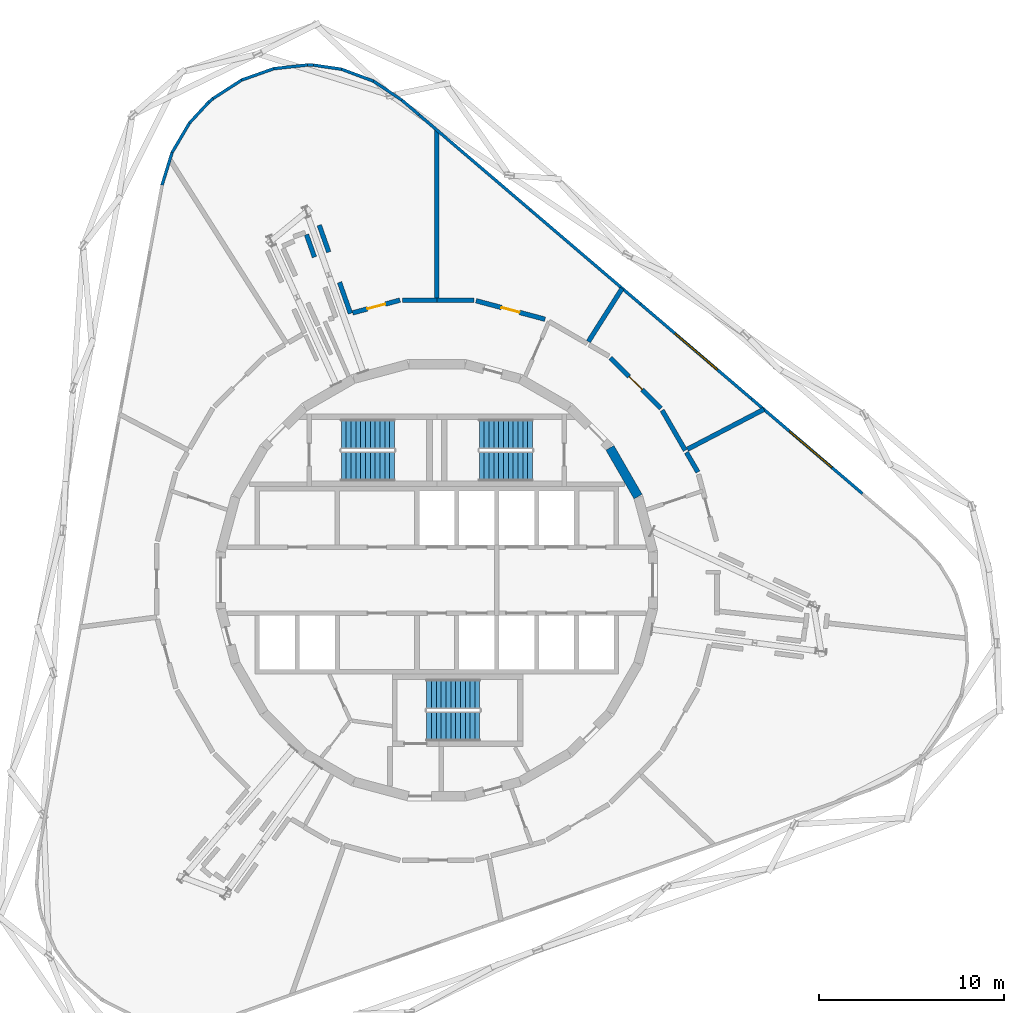
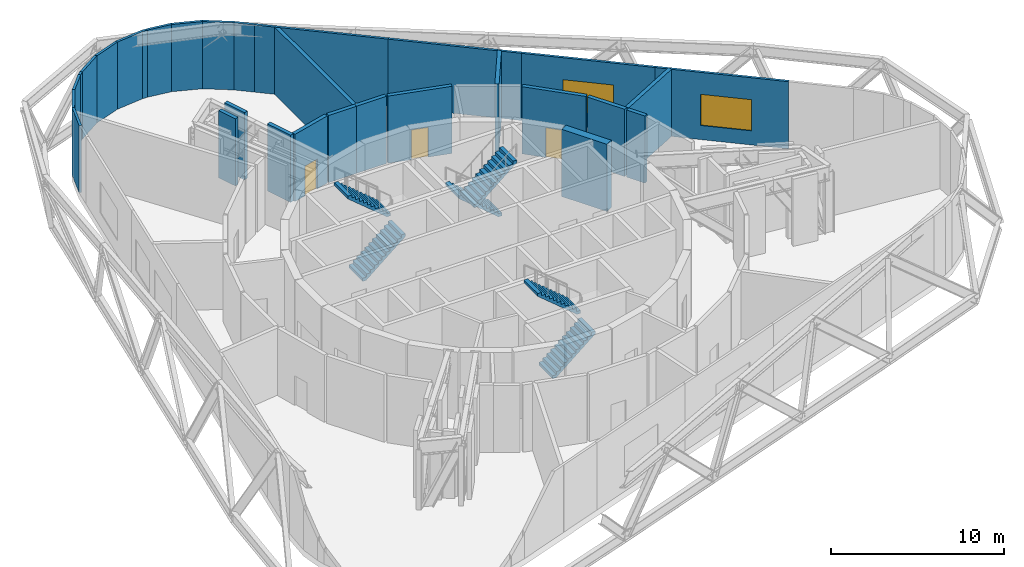
# One storey, part 10 of 12: 30 walls, 6 stair flights, 3 doors, 2 windows, 5 openings, 3 elements without a shape of their own.
"""IFC4 building model written with IfcOpenShell, lengths in metres."""

from ifc_helpers import new_model, si_unit, direction, frame, frame_2d, origin, place, context, subcontext, project, spatial, polyline, rectangle, outline, extrude, material, layer, layer_set, type_object, element, fill, aggregate, save


model = new_model("IFC4")

# Units and contexts
model_context = context("Model", 3, precision=1e-05, world=origin(), true_north=direction((0.0, 1.0)))
body_context = subcontext(model_context, "Body", "Model", "MODEL_VIEW")
ifc_project = project(units=[si_unit("LENGTHUNIT", "METRE"), si_unit("AREAUNIT", "SQUARE_METRE"), si_unit("VOLUMEUNIT", "CUBIC_METRE"), si_unit("PLANEANGLEUNIT", "RADIAN"), si_unit("MASSUNIT", "GRAM", prefix="KILO")], contexts=[model_context])

# Site, building, storey
site_placement = place(None, origin())
site = spatial("IfcSite", under=ifc_project, at=site_placement, CompositionType="ELEMENT")
building_placement = place(site_placement, origin())
building = spatial("IfcBuilding", under=site, at=building_placement, Name="Spindle Arch Residences", CompositionType="ELEMENT")
storey_placement = place(building_placement, frame((0.0, 0.0, 183.199951171875)))
storey = spatial("IfcBuildingStorey", under=building, at=storey_placement, Name="L46", CompositionType="ELEMENT", Elevation=183.199951171875)

# Wall
ifc_material_1 = material(Name="Concrete C50/60", Category="concrete")
ifc_layer_1 = layer(ifc_material_1, 0.5)
ifc_layer_set_1 = layer_set([ifc_layer_1], Name="Core outline wall 500")
wall_type_1 = type_object("IfcWallType", Name="Core outline wall 500", PredefinedType="SHEAR", material=ifc_layer_set_1)
wall_1_placement = place(storey_placement, frame((10.84521484375, 4.510498046875, 0.0), z_axis=(0.0, 0.0, 1.0), x_axis=(-0.500087131594, 0.865975092491, 0.0)))
element("IfcWall", 1, at=wall_1_placement, inside=storey, type_object=wall_type_1, Name="Core outline wall 8", PredefinedType="SHEAR", context=body_context, shape_type="SweptSolid", body=[
    extrude(rectangle(XDim=3.03271484375, YDim=0.5, at=frame_2d((1.516357421875, 0.0))), origin(), (0.0, 0.0, 1.0), 4.75),
])

# Wall, opening, window
ifc_material_2 = material(Name="Non-combustible mineral wool insulated aluminium faced external wall (K0)", Category="aluminium")
ifc_layer_2 = layer(ifc_material_2, 0.159912109375)
ifc_layer_set_2 = layer_set([ifc_layer_2], Name="Insulated external wall panel 160")
wall_type_2 = type_object("IfcWallType", Name="Insulated external wall panel 160", PredefinedType="STANDARD", material=ifc_layer_set_2)
wall_2_placement = place(storey_placement, frame((22.94189453125, 4.673095703125, 0.0), z_axis=(0.0, 0.0, 1.0), x_axis=(-0.76041522011, 0.649437212535, 0.0)))
wall_2 = element("IfcWall", 2, at=wall_2_placement, inside=storey, type_object=wall_type_2, Name="Plant wall L46 bay 6", PredefinedType="STANDARD", context=body_context, shape_type="SweptSolid", body=[
    extrude(rectangle(XDim=7.8603515625, YDim=0.159912109375, at=frame_2d((3.93017578125, 0.0))), origin(), (0.0, 0.0, 1.0), 4.75),
])
opening_1_placement = place(wall_2_placement, frame((2.166748046875, 0.0, 1.0)))
opening_1 = element("IfcOpeningElement", 3, at=opening_1_placement, cuts=wall_2, Name="Opening LW1", PredefinedType="OPENING", context=body_context, shape_type="SweptSolid", body=[
    extrude(rectangle(XDim=3.0, YDim=2.199951171875, at=frame_2d((1.5, 1.10009765625))), frame((0.0, 0.08984375, 0.0), z_axis=(0.0, -1.0, 0.0), x_axis=(1.0, 0.0, 0.0)), (0.0, 0.0, 1.0), 0.179931640625),
])
ifc_material_3 = material(Name="Bronze anodised aluminium fixed louvre", Category="aluminium")
window_type = type_object("IfcWindowType", Name="Plant louvre opening 3000x2200", PartitioningType="SINGLE_PANEL", PredefinedType="WINDOW", material=ifc_material_3)
window_1_placement = place(opening_1_placement, origin())
window_1 = element("IfcWindow", 4, at=window_1_placement, inside=storey, type_object=window_type, Name="Louvre opening L46 bay 6.1", OverallHeight=2.199951171875, OverallWidth=3.0, PartitioningType="SINGLE_PANEL", PredefinedType="WINDOW", context=body_context, shape_type="SweptSolid", body=[
    extrude(rectangle(XDim=3.0, YDim=2.199951171875, at=frame_2d((1.5, 1.10009765625))), frame((0.0, 0.030029296875, 0.0), z_axis=(0.0, -1.0, 0.0), x_axis=(1.0, 0.0, 0.0)), (0.0, 0.0, 1.0), 0.06005859375),
])
fill(opening_1, window_1)

wall_3_placement = place(storey_placement, frame((16.96484375, 9.77783203125, 0.0), z_axis=(0.0, 0.0, 1.0), x_axis=(-0.760402119436, 0.649452551582, 0.0)))
wall_3 = element("IfcWall", 5, at=wall_3_placement, inside=storey, type_object=wall_type_2, Name="Plant wall L46 bay 7", PredefinedType="STANDARD", context=body_context, shape_type="SweptSolid", body=[
    extrude(rectangle(XDim=7.860107421875, YDim=0.159912109375, at=frame_2d((3.93017578125, 0.0))), origin(), (0.0, 0.0, 1.0), 4.75),
])
opening_2_placement = place(wall_3_placement, frame((2.429931640625, 0.0, 1.0)))
opening_2 = element("IfcOpeningElement", 6, at=opening_2_placement, cuts=wall_3, Name="Opening LW1", PredefinedType="OPENING", context=body_context, shape_type="SweptSolid", body=[
    extrude(rectangle(XDim=3.0, YDim=2.199951171875, at=frame_2d((1.5, 1.10009765625))), frame((0.0, 0.08984375, 0.0), z_axis=(0.0, -1.0, 0.0), x_axis=(1.0, 0.0, 0.0)), (0.0, 0.0, 1.0), 0.179931640625),
])
window_2_placement = place(opening_2_placement, origin())
window_2 = element("IfcWindow", 7, at=window_2_placement, inside=storey, type_object=window_type, Name="Louvre opening L46 bay 7.1", OverallHeight=2.199951171875, OverallWidth=3.0, PartitioningType="SINGLE_PANEL", PredefinedType="WINDOW", context=body_context, shape_type="SweptSolid", body=[
    extrude(rectangle(XDim=3.0, YDim=2.199951171875, at=frame_2d((1.5, 1.10009765625))), frame((0.0, 0.030029296875, 0.0), z_axis=(0.0, -1.0, 0.0), x_axis=(1.0, 0.0, 0.0)), (0.0, 0.0, 1.0), 0.06005859375),
])
fill(opening_2, window_2)

# Walls
for number, where, z_axis, x_axis, name in (
    (8, (10.988037109375, 14.882568359375, 0.0), (0.0, 0.0, 1.0), (-0.760402119436, 0.649452551582, 0.0), "Plant wall L46 bay 8"),
    (9, (5.01123046875, 19.9873046875, 0.0), (0.0, 0.0, 1.0), (-0.760402119436, 0.649452551582, 0.0), "Plant wall L46 bay 9"),
):
    element("IfcWall", number, at=place(storey_placement, frame(where, z_axis=z_axis, x_axis=x_axis)), inside=storey, type_object=wall_type_2, Name=name, PredefinedType="STANDARD", context=body_context, shape_type="SweptSolid", body=[
        extrude(rectangle(XDim=7.860107421875, YDim=0.159912109375, at=frame_2d((3.93017578125, 0.0))), origin(), (0.0, 0.0, 1.0), 4.75),
    ])
wall_4_placement = place(storey_placement, frame((-0.965576171875, 25.091796875, 0.0), z_axis=(0.0, 0.0, 1.0), x_axis=(-0.760346823152, 0.649517288856, 0.0)))
element("IfcWall", 10, at=wall_4_placement, inside=storey, type_object=wall_type_2, Name="Plant wall L46 bay 10.1", PredefinedType="STANDARD", context=body_context, shape_type="SweptSolid", body=[
    extrude(rectangle(XDim=1.216064453125, YDim=0.159912109375, at=frame_2d((0.60791015625, 0.0))), origin(), (0.0, 0.0, 1.0), 4.75),
])
wall_5_placement = place(storey_placement, frame((-1.886474609375, 25.878662109375, 0.0), z_axis=(0.0, 0.0, 1.0), x_axis=(-0.830623160585, 0.556834953195, 0.0)))
element("IfcWall", 11, at=wall_5_placement, inside=storey, type_object=wall_type_2, Name="Plant wall L46 bay 10.2", PredefinedType="STANDARD", context=body_context, shape_type="SweptSolid", body=[
    extrude(rectangle(XDim=1.845947265625, YDim=0.159912109375, at=frame_2d((0.9228515625, 0.0))), origin(), (0.0, 0.0, 1.0), 4.75),
])
wall_6_placement = place(storey_placement, frame((-3.411376953125, 26.902099609375, 0.0), z_axis=(0.0, 0.0, 1.0), x_axis=(-0.936665358307, 0.350225650899, 0.0)))
element("IfcWall", 12, at=wall_6_placement, inside=storey, type_object=wall_type_2, Name="Plant wall L46 bay 10.3", PredefinedType="STANDARD", context=body_context, shape_type="SweptSolid", body=[
    extrude(rectangle(XDim=1.847900390625, YDim=0.159912109375, at=frame_2d((0.923828125, 0.0))), origin(), (0.0, 0.0, 1.0), 4.75),
])
wall_7_placement = place(storey_placement, frame((-5.134033203125, 27.547119140625, 0.0), z_axis=(0.0, 0.0, 1.0), x_axis=(-0.989464414306, 0.144776285427, 0.0)))
element("IfcWall", 13, at=wall_7_placement, inside=storey, type_object=wall_type_2, Name="Plant wall L46 bay 10.4", PredefinedType="STANDARD", context=body_context, shape_type="SweptSolid", body=[
    extrude(rectangle(XDim=1.52783203125, YDim=0.159912109375, at=frame_2d((0.763916015625, 0.0))), origin(), (0.0, 0.0, 1.0), 4.75),
])
wall_8_placement = place(storey_placement, frame((-6.645751953125, 27.768310546875, 0.0), z_axis=(0.0, 0.0, 1.0), x_axis=(-0.999601368957, 0.028233015764, 0.0)))
element("IfcWall", 14, at=wall_8_placement, inside=storey, type_object=wall_type_2, Name="Plant wall L46 bay 11.1", PredefinedType="STANDARD", context=body_context, shape_type="SweptSolid", body=[
    extrude(rectangle(XDim=0.320068359375, YDim=0.159912109375, at=frame_2d((0.16015625, 0.0))), origin(), (0.0, 0.0, 1.0), 4.75),
])
wall_9_placement = place(storey_placement, frame((-6.960205078125, 27.777587890625, 0.0), z_axis=(0.0, 0.0, 1.0), x_axis=(-0.994203609692, -0.107513638558, 0.0)))
element("IfcWall", 15, at=wall_9_placement, inside=storey, type_object=wall_type_2, Name="Plant wall L46 bay 11.2", PredefinedType="STANDARD", context=body_context, shape_type="SweptSolid", body=[
    extrude(rectangle(XDim=1.84619140625, YDim=0.159912109375, at=frame_2d((0.923095703125, 0.0))), origin(), (0.0, 0.0, 1.0), 4.75),
])
wall_10_placement = place(storey_placement, frame((-8.78662109375, 27.581298828125, 0.0), z_axis=(0.0, 0.0, 1.0), x_axis=(-0.942641080988, -0.333808017329, 0.0)))
element("IfcWall", 16, at=wall_10_placement, inside=storey, type_object=wall_type_2, Name="Plant wall L46 bay 11.3", PredefinedType="STANDARD", context=body_context, shape_type="SweptSolid", body=[
    extrude(rectangle(XDim=1.84814453125, YDim=0.159912109375, at=frame_2d((0.924072265625, 0.0))), origin(), (0.0, 0.0, 1.0), 4.75),
])
wall_11_placement = place(storey_placement, frame((-10.5205078125, 26.968505859375, 0.0), z_axis=(0.0, 0.0, 1.0), x_axis=(-0.840236412117, -0.542220224404, 0.0)))
element("IfcWall", 17, at=wall_11_placement, inside=storey, type_object=wall_type_2, Name="Plant wall L46 bay 11.4", PredefinedType="STANDARD", context=body_context, shape_type="SweptSolid", body=[
    extrude(rectangle(XDim=1.846435546875, YDim=0.159912109375, at=frame_2d((0.92333984375, 0.0))), origin(), (0.0, 0.0, 1.0), 4.75),
])
wall_12_placement = place(storey_placement, frame((-12.067626953125, 25.970703125, 0.0), z_axis=(0.0, 0.0, 1.0), x_axis=(-0.758501989584, -0.651670723446, 0.0)))
element("IfcWall", 18, at=wall_12_placement, inside=storey, type_object=wall_type_2, Name="Plant wall L46 bay 11.5", PredefinedType="STANDARD", context=body_context, shape_type="SweptSolid", body=[
    extrude(rectangle(XDim=0.31982421875, YDim=0.159912109375, at=frame_2d((0.159912109375, 0.0))), origin(), (0.0, 0.0, 1.0), 4.75),
])
wall_13_placement = place(storey_placement, frame((-12.310302734375, 25.76220703125, 0.0), z_axis=(0.0, 0.0, 1.0), x_axis=(-0.678007946149, -0.735054572776, 0.0)))
element("IfcWall", 19, at=wall_13_placement, inside=storey, type_object=wall_type_2, Name="Plant wall L46 bay 12.1", PredefinedType="STANDARD", context=body_context, shape_type="SweptSolid", body=[
    extrude(rectangle(XDim=1.52783203125, YDim=0.159912109375, at=frame_2d((0.763916015625, 0.0))), origin(), (0.0, 0.0, 1.0), 4.75),
])
wall_14_placement = place(storey_placement, frame((-13.341064453125, 24.64599609375, 0.0), z_axis=(0.0, 0.0, 1.0), x_axis=(-0.50746464076, -0.861672581889, 0.0)))
element("IfcWall", 20, at=wall_14_placement, inside=storey, type_object=wall_type_2, Name="Plant wall L46 bay 12.2", PredefinedType="STANDARD", context=body_context, shape_type="SweptSolid", body=[
    extrude(rectangle(XDim=1.847900390625, YDim=0.159912109375, at=frame_2d((0.923828125, 0.0))), origin(), (0.0, 0.0, 1.0), 4.75),
])
wall_15_placement = place(storey_placement, frame((-14.275146484375, 23.062255859375, 0.0), z_axis=(0.0, 0.0, 1.0), x_axis=(-0.295200909257, -0.955435200929, 0.0)))
element("IfcWall", 21, at=wall_15_placement, inside=storey, type_object=wall_type_2, Name="Plant wall L46 bay 12.3", PredefinedType="STANDARD", context=body_context, shape_type="SweptSolid", body=[
    extrude(rectangle(XDim=1.845947265625, YDim=0.159912109375, at=frame_2d((0.9228515625, 0.0))), origin(), (0.0, 0.0, 1.0), 4.75),
])
ifc_material_4 = material(Name="Concrete C25/30 wall", Category="concrete")
ifc_layer_3 = layer(ifc_material_4, 0.25)
ifc_layer_set_3 = layer_set([ifc_layer_3], Name="Partition EI 120 250 plant")
wall_type_3 = type_object("IfcWallType", Name="Partition EI 120 250 plant", PredefinedType="PARTITIONING", material=ifc_layer_set_3)
wall_16_placement = place(storey_placement, frame((1.989990234375, 15.10009765625, 0.0), z_axis=(0.0, 0.0, 1.0), x_axis=(-1.0, 0.0, 0.0)))
element("IfcWall", 22, at=wall_16_placement, inside=storey, type_object=wall_type_3, Name="L46-W046", PredefinedType="PARTITIONING", context=body_context, shape_type="SweptSolid", body=[
    extrude(rectangle(XDim=1.989990234375, YDim=0.25, at=frame_2d((0.9951171875, 0.0))), origin(), (0.0, 0.0, 1.0), 4.75),
])

# Wall, opening, door
wall_17_placement = place(storey_placement, frame((5.830078125, 14.070068359375, 0.0), z_axis=(0.0, 0.0, 1.0), x_axis=(-0.965861411942, 0.259059323171, 0.0)))
wall_17 = element("IfcWall", 23, at=wall_17_placement, inside=storey, type_object=wall_type_3, Name="L46-W052", PredefinedType="PARTITIONING", context=body_context, shape_type="SweptSolid", body=[
    extrude(rectangle(XDim=3.8505859375, YDim=0.25, at=frame_2d((1.92529296875, 0.0))), origin(), (0.0, 0.0, 1.0), 4.75),
])
opening_3_placement = place(wall_17_placement, frame((1.42529296875, 0.0, 0.0)))
opening_3 = element("IfcOpeningElement", 24, at=opening_3_placement, cuts=wall_17, Name="Opening L46-D09", PredefinedType="OPENING", context=body_context, shape_type="SweptSolid", body=[
    extrude(rectangle(XDim=1.0, YDim=2.10009765625, at=frame_2d((0.5, 1.050048828125))), frame((0.0, 0.135009765625, 0.0), z_axis=(0.0, -1.0, 0.0), x_axis=(1.0, 0.0, 0.0)), (0.0, 0.0, 1.0), 0.27001953125),
])
ifc_material_5 = material(Name="Steel door leaf, painted", Category="steel")
door_type = type_object("IfcDoorType", Name="Door 1000x2100 EI 60", OperationType="SINGLE_SWING_LEFT", PredefinedType="DOOR", material=ifc_material_5)
door_1_placement = place(opening_3_placement, origin())
door_1 = element("IfcDoor", 25, at=door_1_placement, inside=storey, type_object=door_type, Name="L46-D09", OperationType="SINGLE_SWING_LEFT", OverallHeight=2.10009765625, OverallWidth=1.0, PredefinedType="DOOR", context=body_context, shape_type="SweptSolid", body=[
    extrude(rectangle(XDim=1.0, YDim=2.10009765625, at=frame_2d((0.5, 1.050048828125))), frame((0.0, 0.02490234375, 0.0), z_axis=(0.0, -1.0, 0.0), x_axis=(1.0, 0.0, 0.0)), (0.0, 0.0, 1.0), 0.050048828125),
])
fill(opening_3, door_1)

# Walls
wall_18_placement = place(storey_placement, frame((14.070068359375, 5.830078125, 0.0), z_axis=(0.0, 0.0, 1.0), x_axis=(-0.502547897079, 0.864549368828, 0.0)))
element("IfcWall", 26, at=wall_18_placement, inside=storey, type_object=wall_type_3, Name="L46-W063", PredefinedType="PARTITIONING", context=body_context, shape_type="SweptSolid", body=[
    extrude(rectangle(XDim=1.22802734375, YDim=0.25, at=frame_2d((0.614013671875, 0.0))), origin(), (0.0, 0.0, 1.0), 4.75),
])
ifc_material_6 = material(Name="Concrete C25/30 wall", Category="concrete")
ifc_layer_4 = layer(ifc_material_6, 0.25)
ifc_layer_set_4 = layer_set([ifc_layer_4], Name="Partition EI 150 250 electrical")
wall_type_4 = type_object("IfcWallType", Name="Partition EI 150 250 electrical", PredefinedType="PARTITIONING", material=ifc_layer_set_4)
wall_19_placement = place(storey_placement, frame((-7.029052734375, 18.630859375, 0.0), z_axis=(0.0, 0.0, 1.0), x_axis=(0.333903428613, -0.942607288514, 0.0)))
element("IfcWall", 27, at=wall_19_placement, inside=storey, type_object=wall_type_4, Name="L46-W030", PredefinedType="PARTITIONING", context=body_context, shape_type="SweptSolid", body=[
    extrude(rectangle(XDim=1.28466796875, YDim=0.25, at=frame_2d((0.642333984375, 0.0))), origin(), (0.0, 0.0, 1.0), 4.75),
])
wall_20_placement = place(storey_placement, frame((-5.830078125, 17.68994140625, 0.0), z_axis=(0.0, 0.0, 1.0), x_axis=(-0.332455036473, 0.94311910633, 0.0)))
element("IfcWall", 28, at=wall_20_placement, inside=storey, type_object=wall_type_4, Name="L46-W035", PredefinedType="PARTITIONING", context=body_context, shape_type="SweptSolid", body=[
    extrude(rectangle(XDim=1.539306640625, YDim=0.25, at=frame_2d((0.76953125, 0.0))), origin(), (0.0, 0.0, 1.0), 4.75),
])
wall_21_placement = place(storey_placement, frame((-4.659912109375, 14.3798828125, 0.0), z_axis=(0.0, 0.0, 1.0), x_axis=(-0.331363959676, 0.943503008065, 0.0)))
element("IfcWall", 29, at=wall_21_placement, inside=storey, type_object=wall_type_4, Name="L46-W040", PredefinedType="PARTITIONING", context=body_context, shape_type="SweptSolid", body=[
    extrude(rectangle(XDim=1.78076171875, YDim=0.25, at=frame_2d((0.890380859375, 0.0))), origin(), (0.0, 0.0, 1.0), 4.75),
])

# Wall, opening, door
wall_22_placement = place(storey_placement, frame((-1.989990234375, 15.10009765625, 0.0), z_axis=(0.0, 0.0, 1.0), x_axis=(-0.965506757826, -0.260377995598, 0.0)))
wall_22 = element("IfcWall", 30, at=wall_22_placement, inside=storey, type_object=wall_type_4, Name="L46-W042", PredefinedType="PARTITIONING", context=body_context, shape_type="SweptSolid", body=[
    extrude(rectangle(XDim=2.640380859375, YDim=0.25, at=frame_2d((1.3203125, 0.0))), origin(), (0.0, 0.0, 1.0), 4.75),
])
opening_4_placement = place(wall_22_placement, frame((0.8203125, 0.0, 0.0)))
opening_4 = element("IfcOpeningElement", 31, at=opening_4_placement, cuts=wall_22, Name="Opening L46-D10", PredefinedType="OPENING", context=body_context, shape_type="SweptSolid", body=[
    extrude(rectangle(XDim=1.0, YDim=2.10009765625, at=frame_2d((0.5, 1.050048828125))), frame((0.0, 0.135009765625, 0.0), z_axis=(0.0, -1.0, 0.0), x_axis=(1.0, 0.0, 0.0)), (0.0, 0.0, 1.0), 0.27001953125),
])
door_2_placement = place(opening_4_placement, origin())
door_2 = element("IfcDoor", 32, at=door_2_placement, inside=storey, type_object=door_type, Name="L46-D10", OperationType="SINGLE_SWING_LEFT", OverallHeight=2.10009765625, OverallWidth=1.0, PredefinedType="DOOR", context=body_context, shape_type="SweptSolid", body=[
    extrude(rectangle(XDim=1.0, YDim=2.10009765625, at=frame_2d((0.5, 1.050048828125))), frame((0.0, 0.02490234375, 0.0), z_axis=(0.0, -1.0, 0.0), x_axis=(1.0, 0.0, 0.0)), (0.0, 0.0, 1.0), 0.050048828125),
])
fill(opening_4, door_2)

# Walls
wall_23_placement = place(storey_placement, frame((0.0, 15.10009765625, 0.0), z_axis=(0.0, 0.0, 1.0), x_axis=(-1.0, 0.0, 0.0)))
element("IfcWall", 33, at=wall_23_placement, inside=storey, type_object=wall_type_4, Name="L46-W043", PredefinedType="PARTITIONING", context=body_context, shape_type="SweptSolid", body=[
    extrude(rectangle(XDim=1.864990234375, YDim=0.25, at=frame_2d((0.9326171875, 0.0))), origin(), (0.0, 0.0, 1.0), 4.75),
])
wall_24_placement = place(storey_placement, frame((0.0, 15.22509765625, 0.0), z_axis=(0.0, 0.0, 1.0), x_axis=(0.0, 1.0, 0.0)))
element("IfcWall", 34, at=wall_24_placement, inside=storey, type_object=wall_type_4, Name="L46-W044", PredefinedType="PARTITIONING", context=body_context, shape_type="SweptSolid", body=[
    extrude(rectangle(XDim=9.06494140625, YDim=0.25, at=frame_2d((4.532470703125, 0.0))), origin(), (0.0, 0.0, 1.0), 4.75),
])
ifc_material_7 = material(Name="Concrete C25/30 wall", Category="concrete")
ifc_layer_5 = layer(ifc_material_7, 0.25)
ifc_layer_set_5 = layer_set([ifc_layer_5], Name="Partition REI 120 250 refuge")
wall_type_5 = type_object("IfcWallType", Name="Partition REI 120 250 refuge", PredefinedType="PARTITIONING", material=ifc_layer_set_5)
wall_25_placement = place(storey_placement, frame((8.1669921875, 12.865478515625, 0.0), z_axis=(0.0, 0.0, 1.0), x_axis=(0.535963404408, 0.844241215018, 0.0)))
element("IfcWall", 35, at=wall_25_placement, inside=storey, type_object=wall_type_5, Name="L46-W054", PredefinedType="PARTITIONING", context=body_context, shape_type="SweptSolid", body=[
    extrude(rectangle(XDim=3.39599609375, YDim=0.25, at=frame_2d((1.697998046875, 0.0))), origin(), (0.0, 0.0, 1.0), 4.75),
])

# Wall, opening, door
wall_26_placement = place(storey_placement, frame((12.080078125, 9.27001953125, 0.0), z_axis=(0.0, 0.0, 1.0), x_axis=(-0.707106781187, 0.707106781187, 0.0)))
wall_26 = element("IfcWall", 36, at=wall_26_placement, inside=storey, type_object=wall_type_5, Name="L46-W060", PredefinedType="PARTITIONING", context=body_context, shape_type="SweptSolid", body=[
    extrude(rectangle(XDim=3.84912109375, YDim=0.25, at=frame_2d((1.924560546875, 0.0))), origin(), (0.0, 0.0, 1.0), 4.75),
])
opening_5_placement = place(wall_26_placement, frame((1.424560546875, 0.0, 0.0)))
opening_5 = element("IfcOpeningElement", 37, at=opening_5_placement, cuts=wall_26, Name="Opening L46-D07", PredefinedType="OPENING", context=body_context, shape_type="SweptSolid", body=[
    extrude(rectangle(XDim=1.0, YDim=2.10009765625, at=frame_2d((0.5, 1.050048828125))), frame((0.0, 0.135009765625, 0.0), z_axis=(0.0, -1.0, 0.0), x_axis=(1.0, 0.0, 0.0)), (0.0, 0.0, 1.0), 0.27001953125),
])
door_3_placement = place(opening_5_placement, origin())
door_3 = element("IfcDoor", 38, at=door_3_placement, inside=storey, type_object=door_type, Name="L46-D07", OperationType="SINGLE_SWING_LEFT", OverallHeight=2.10009765625, OverallWidth=1.0, PredefinedType="DOOR", context=body_context, shape_type="SweptSolid", body=[
    extrude(rectangle(XDim=1.0, YDim=2.10009765625, at=frame_2d((0.5, 1.050048828125))), frame((0.0, 0.02490234375, 0.0), z_axis=(0.0, -1.0, 0.0), x_axis=(1.0, 0.0, 0.0)), (0.0, 0.0, 1.0), 0.050048828125),
])
fill(opening_5, door_3)

# Walls
wall_27_placement = place(storey_placement, frame((13.389892578125, 7.0, 0.0), z_axis=(0.0, 0.0, 1.0), x_axis=(-0.499790202325, 0.86614649665, 0.0)))
element("IfcWall", 39, at=wall_27_placement, inside=storey, type_object=wall_type_5, Name="L46-W061", PredefinedType="PARTITIONING", context=body_context, shape_type="SweptSolid", body=[
    extrude(rectangle(XDim=2.49560546875, YDim=0.25, at=frame_2d((1.247802734375, 0.0))), origin(), (0.0, 0.0, 1.0), 4.75),
])
wall_28_placement = place(storey_placement, frame((17.629150390625, 9.212890625, 0.0), z_axis=(0.0, 0.0, 1.0), x_axis=(-0.8864904177, -0.462746949559, 0.0)))
element("IfcWall", 40, at=wall_28_placement, inside=storey, type_object=wall_type_5, Name="L46-W072", PredefinedType="PARTITIONING", context=body_context, shape_type="SweptSolid", body=[
    extrude(rectangle(XDim=4.656982421875, YDim=0.25, at=frame_2d((2.32861328125, 0.0))), origin(), (0.0, 0.0, 1.0), 4.75),
])

# Stair, stair flights
ifc_material_8 = material(Name="Concrete C50/60", Category="concrete")
stair_type = type_object("IfcStairType", Name="Exit stair 24 risers", PredefinedType="HALF_TURN_STAIR", material=ifc_material_8)
stair_1_placement = place(storey_placement, origin())
stair_1 = element("IfcStair", 41, at=stair_1_placement, inside=storey, type_object=stair_type, Name="L46 Exit stair ST1", PredefinedType="HALF_TURN_STAIR")
ifc_material_9 = material(Name="Concrete C50/60", Category="concrete")
stair_flight_type = type_object("IfcStairFlightType", Name="Exit stair flight", PredefinedType="STRAIGHT", material=ifc_material_9)
stair_flight_1_placement = place(storey_placement, frame((5.14990234375, 7.8701171875, 0.0), z_axis=(0.0, 0.0, 1.0), x_axis=(-1.0, 0.0, 0.0)))
stair_flight_1 = element("IfcStairFlight", 42, at=stair_flight_1_placement, type_object=stair_flight_type, Name="ST1 flight 1", NumberOfRisers=12, NumberOfTreads=11, PredefinedType="STRAIGHT", RiserHeight=0.216666667, TreadLength=0.26, context=body_context, shape_type="SweptSolid", body=[
    extrude(outline(polyline([(0.0, 0.0), (0.0, 0.216552734375), (0.260009765625, 0.216552734375), (0.260009765625, 0.433349609375), (0.52001953125, 0.433349609375), (0.52001953125, 0.64990234375), (0.780029296875, 0.64990234375), (0.780029296875, 0.86669921875), (1.0400390625, 0.86669921875), (1.0400390625, 1.083251953125), (1.300048828125, 1.083251953125), (1.300048828125, 1.300048828125), (1.56005859375, 1.300048828125), (1.56005859375, 1.5166015625), (1.820068359375, 1.5166015625), (1.820068359375, 1.7333984375), (2.080078125, 1.7333984375), (2.080078125, 1.949951171875), (2.340087890625, 1.949951171875), (2.340087890625, 2.166748046875), (2.60009765625, 2.166748046875), (2.60009765625, 2.38330078125), (2.860107421875, 2.38330078125), (2.860107421875, 2.60009765625), (2.860107421875, 2.188232421875), (0.234130859375, 0.0), (0.0, 0.0)])), frame((0.0, 0.800048828125, 0.0), z_axis=(0.0, -1.0, 0.0), x_axis=(1.0, 0.0, 0.0)), (0.0, 0.0, 1.0), 1.60009765625),
])
stair_flight_2_placement = place(storey_placement, frame((2.2900390625, 6.14990234375, 2.60009765625), z_axis=(0.0, 0.0, 1.0), x_axis=(1.0, 0.0, 0.0)))
stair_flight_2 = element("IfcStairFlight", 43, at=stair_flight_2_placement, type_object=stair_flight_type, Name="ST1 flight 2", NumberOfRisers=12, NumberOfTreads=11, PredefinedType="STRAIGHT", RiserHeight=0.216666667, TreadLength=0.26, context=body_context, shape_type="SweptSolid", body=[
    extrude(outline(polyline([(0.0, 0.0), (0.0, 0.216552734375), (0.260009765625, 0.216552734375), (0.260009765625, 0.433349609375), (0.52001953125, 0.433349609375), (0.52001953125, 0.64990234375), (0.780029296875, 0.64990234375), (0.780029296875, 0.86669921875), (1.0400390625, 0.86669921875), (1.0400390625, 1.083251953125), (1.300048828125, 1.083251953125), (1.300048828125, 1.300048828125), (1.56005859375, 1.300048828125), (1.56005859375, 1.5166015625), (1.820068359375, 1.5166015625), (1.820068359375, 1.7333984375), (2.080078125, 1.7333984375), (2.080078125, 1.949951171875), (2.340087890625, 1.949951171875), (2.340087890625, 2.166748046875), (2.60009765625, 2.166748046875), (2.60009765625, 2.38330078125), (2.860107421875, 2.38330078125), (2.860107421875, 2.60009765625), (2.860107421875, 2.188232421875), (0.234130859375, 0.0), (0.0, 0.0)])), frame((0.0, 0.800048828125, 0.0), z_axis=(0.0, -1.0, 0.0), x_axis=(1.0, 0.0, 0.0)), (0.0, 0.0, 1.0), 1.60009765625),
])
aggregate(stair_1, [stair_flight_1, stair_flight_2])

stair_2_placement = place(storey_placement, origin())
stair_2 = element("IfcStair", 44, at=stair_2_placement, inside=storey, type_object=stair_type, Name="L46 Exit stair ST2", PredefinedType="HALF_TURN_STAIR")
stair_flight_3_placement = place(storey_placement, frame((-5.14990234375, 6.14990234375, 0.0), z_axis=(0.0, 0.0, 1.0), x_axis=(1.0, 0.0, 0.0)))
stair_flight_3 = element("IfcStairFlight", 45, at=stair_flight_3_placement, type_object=stair_flight_type, Name="ST2 flight 1", NumberOfRisers=12, NumberOfTreads=11, PredefinedType="STRAIGHT", RiserHeight=0.216666667, TreadLength=0.26, context=body_context, shape_type="SweptSolid", body=[
    extrude(outline(polyline([(0.0, 0.0), (0.0, 0.216552734375), (0.260009765625, 0.216552734375), (0.260009765625, 0.433349609375), (0.52001953125, 0.433349609375), (0.52001953125, 0.64990234375), (0.780029296875, 0.64990234375), (0.780029296875, 0.86669921875), (1.0400390625, 0.86669921875), (1.0400390625, 1.083251953125), (1.300048828125, 1.083251953125), (1.300048828125, 1.300048828125), (1.56005859375, 1.300048828125), (1.56005859375, 1.5166015625), (1.820068359375, 1.5166015625), (1.820068359375, 1.7333984375), (2.080078125, 1.7333984375), (2.080078125, 1.949951171875), (2.340087890625, 1.949951171875), (2.340087890625, 2.166748046875), (2.60009765625, 2.166748046875), (2.60009765625, 2.38330078125), (2.860107421875, 2.38330078125), (2.860107421875, 2.60009765625), (2.860107421875, 2.188232421875), (0.234130859375, 0.0), (0.0, 0.0)])), frame((0.0, 0.800048828125, 0.0), z_axis=(0.0, -1.0, 0.0), x_axis=(1.0, 0.0, 0.0)), (0.0, 0.0, 1.0), 1.60009765625),
])
stair_flight_4_placement = place(storey_placement, frame((-2.2900390625, 7.8701171875, 2.60009765625), z_axis=(0.0, 0.0, 1.0), x_axis=(-1.0, 0.0, 0.0)))
stair_flight_4 = element("IfcStairFlight", 46, at=stair_flight_4_placement, type_object=stair_flight_type, Name="ST2 flight 2", NumberOfRisers=12, NumberOfTreads=11, PredefinedType="STRAIGHT", RiserHeight=0.216666667, TreadLength=0.26, context=body_context, shape_type="SweptSolid", body=[
    extrude(outline(polyline([(0.0, 0.0), (0.0, 0.216552734375), (0.260009765625, 0.216552734375), (0.260009765625, 0.433349609375), (0.52001953125, 0.433349609375), (0.52001953125, 0.64990234375), (0.780029296875, 0.64990234375), (0.780029296875, 0.86669921875), (1.0400390625, 0.86669921875), (1.0400390625, 1.083251953125), (1.300048828125, 1.083251953125), (1.300048828125, 1.300048828125), (1.56005859375, 1.300048828125), (1.56005859375, 1.5166015625), (1.820068359375, 1.5166015625), (1.820068359375, 1.7333984375), (2.080078125, 1.7333984375), (2.080078125, 1.949951171875), (2.340087890625, 1.949951171875), (2.340087890625, 2.166748046875), (2.60009765625, 2.166748046875), (2.60009765625, 2.38330078125), (2.860107421875, 2.38330078125), (2.860107421875, 2.60009765625), (2.860107421875, 2.188232421875), (0.234130859375, 0.0), (0.0, 0.0)])), frame((0.0, 0.800048828125, 0.0), z_axis=(0.0, -1.0, 0.0), x_axis=(1.0, 0.0, 0.0)), (0.0, 0.0, 1.0), 1.60009765625),
])
aggregate(stair_2, [stair_flight_3, stair_flight_4])

stair_3_placement = place(storey_placement, origin())
stair_3 = element("IfcStair", 47, at=stair_3_placement, inside=storey, type_object=stair_type, Name="L46 Exit stair ST3", PredefinedType="HALF_TURN_STAIR")
stair_flight_5_placement = place(storey_placement, frame((-0.550048828125, -7.8701171875, 0.0), z_axis=(0.0, 0.0, 1.0), x_axis=(1.0, 0.0, 0.0)))
stair_flight_5 = element("IfcStairFlight", 48, at=stair_flight_5_placement, type_object=stair_flight_type, Name="ST3 flight 1", NumberOfRisers=12, NumberOfTreads=11, PredefinedType="STRAIGHT", RiserHeight=0.216666667, TreadLength=0.26, context=body_context, shape_type="SweptSolid", body=[
    extrude(outline(polyline([(0.0, 0.0), (0.0, 0.216552734375), (0.260009765625, 0.216552734375), (0.260009765625, 0.433349609375), (0.52001953125, 0.433349609375), (0.52001953125, 0.64990234375), (0.780029296875, 0.64990234375), (0.780029296875, 0.86669921875), (1.0400390625, 0.86669921875), (1.0400390625, 1.083251953125), (1.300048828125, 1.083251953125), (1.300048828125, 1.300048828125), (1.56005859375, 1.300048828125), (1.56005859375, 1.5166015625), (1.820068359375, 1.5166015625), (1.820068359375, 1.7333984375), (2.080078125, 1.7333984375), (2.080078125, 1.949951171875), (2.340087890625, 1.949951171875), (2.340087890625, 2.166748046875), (2.60009765625, 2.166748046875), (2.60009765625, 2.38330078125), (2.860107421875, 2.38330078125), (2.860107421875, 2.60009765625), (2.860107421875, 2.188232421875), (0.234130859375, 0.0), (0.0, 0.0)])), frame((0.0, 0.800048828125, 0.0), z_axis=(0.0, -1.0, 0.0), x_axis=(1.0, 0.0, 0.0)), (0.0, 0.0, 1.0), 1.60009765625),
])
stair_flight_6_placement = place(storey_placement, frame((2.31005859375, -6.14990234375, 2.60009765625), z_axis=(0.0, 0.0, 1.0), x_axis=(-1.0, 0.0, 0.0)))
stair_flight_6 = element("IfcStairFlight", 49, at=stair_flight_6_placement, type_object=stair_flight_type, Name="ST3 flight 2", NumberOfRisers=12, NumberOfTreads=11, PredefinedType="STRAIGHT", RiserHeight=0.216666667, TreadLength=0.26, context=body_context, shape_type="SweptSolid", body=[
    extrude(outline(polyline([(0.0, 0.0), (0.0, 0.216552734375), (0.260009765625, 0.216552734375), (0.260009765625, 0.433349609375), (0.52001953125, 0.433349609375), (0.52001953125, 0.64990234375), (0.780029296875, 0.64990234375), (0.780029296875, 0.86669921875), (1.0400390625, 0.86669921875), (1.0400390625, 1.083251953125), (1.300048828125, 1.083251953125), (1.300048828125, 1.300048828125), (1.56005859375, 1.300048828125), (1.56005859375, 1.5166015625), (1.820068359375, 1.5166015625), (1.820068359375, 1.7333984375), (2.080078125, 1.7333984375), (2.080078125, 1.949951171875), (2.340087890625, 1.949951171875), (2.340087890625, 2.166748046875), (2.60009765625, 2.166748046875), (2.60009765625, 2.38330078125), (2.860107421875, 2.38330078125), (2.860107421875, 2.60009765625), (2.860107421875, 2.188232421875), (0.234130859375, 0.0), (0.0, 0.0)])), frame((0.0, 0.800048828125, 0.0), z_axis=(0.0, -1.0, 0.0), x_axis=(1.0, 0.0, 0.0)), (0.0, 0.0, 1.0), 1.60009765625),
])
aggregate(stair_3, [stair_flight_5, stair_flight_6])

save(model, "model.ifc")
